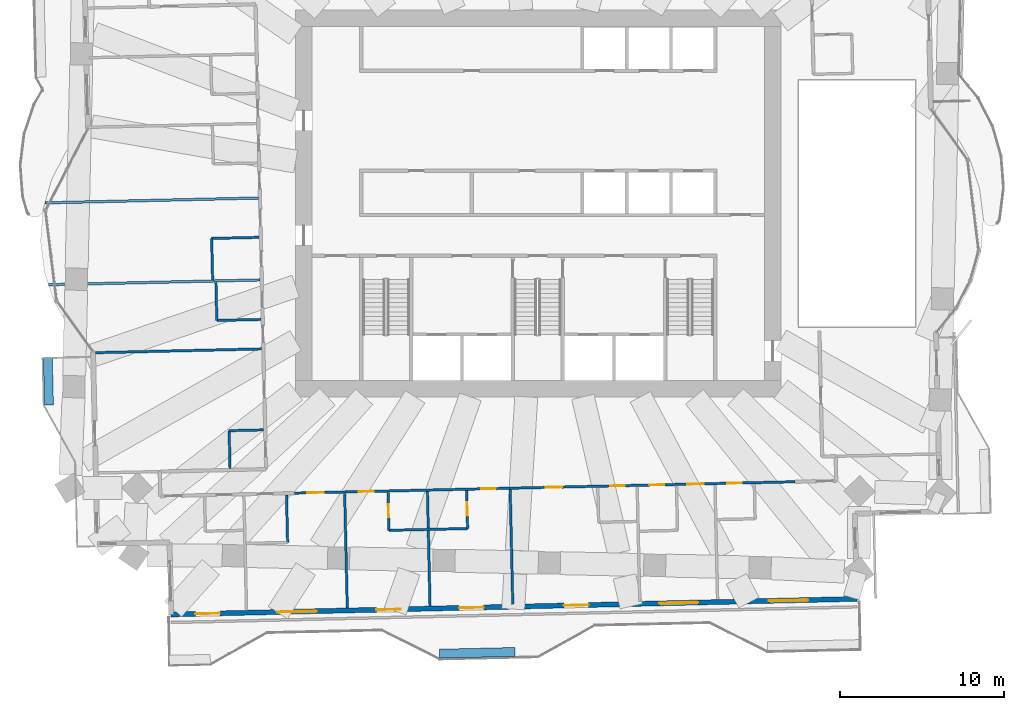
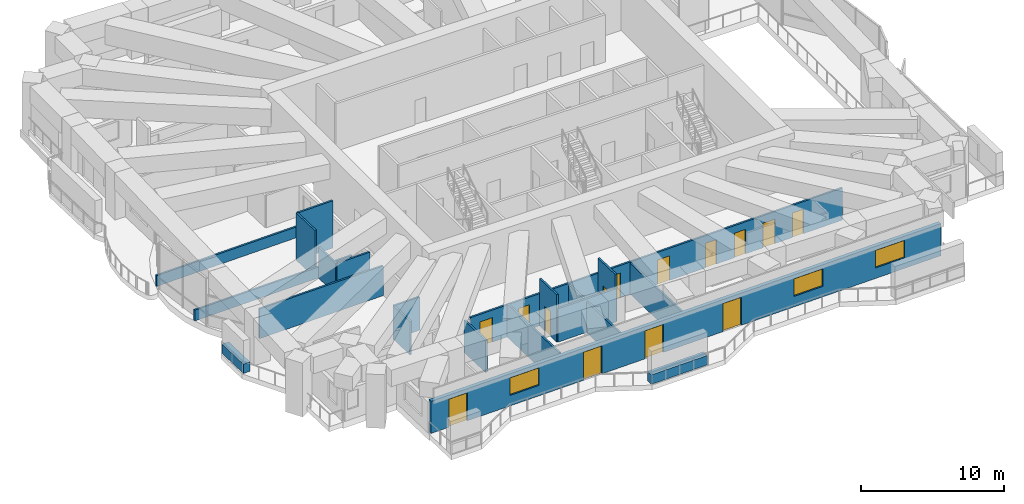
# One storey, part 10 of 21: 20 walls, 14 doors, 3 windows, 17 openings.
"""IFC4 building model written with IfcOpenShell, lengths in metres."""

from ifc_helpers import new_model, si_unit, direction, frame, frame_2d, origin, place, context, subcontext, project, spatial, rectangle, extrude, material, layer, layer_set, type_object, element, fill, save


model = new_model("IFC4")

# Units and contexts
model_context = context("Model", 3, precision=1e-05, world=origin(), true_north=direction((0.0, 1.0)))
body_context = subcontext(model_context, "Body", "Model", "MODEL_VIEW")
ifc_project = project(units=[si_unit("LENGTHUNIT", "METRE"), si_unit("AREAUNIT", "SQUARE_METRE"), si_unit("VOLUMEUNIT", "CUBIC_METRE"), si_unit("PLANEANGLEUNIT", "RADIAN"), si_unit("MASSUNIT", "GRAM", prefix="KILO")], contexts=[model_context])

# Site, building, storey
site_placement = place(None, origin())
site = spatial("IfcSite", under=ifc_project, at=site_placement, CompositionType="ELEMENT")
building_placement = place(site_placement, origin())
building = spatial("IfcBuilding", under=site, at=building_placement, Name="Mangrove Gate Tower", CompositionType="ELEMENT")
storey_placement = place(building_placement, frame((0.0, 0.0, 125.5)))
storey = spatial("IfcBuildingStorey", under=building, at=storey_placement, Name="L31", CompositionType="ELEMENT", Elevation=125.5)

# Wall, openings, doors, windows
ifc_material_1 = material(Name="Limestone", Category="masonry")
ifc_layer_1 = layer(ifc_material_1, 0.0400390625, Name="Limestone cladding")
ifc_material_2 = material(Name="Ventilated air gap")
ifc_layer_2 = layer(ifc_material_2, 0.0400390625, Name="Ventilated cavity")
ifc_material_3 = material(Name="Mineral wool insulation")
ifc_layer_3 = layer(ifc_material_3, 0.06005859375, Name="Insulation")
ifc_material_4 = material(Name="Breather membrane")
ifc_layer_4 = layer(ifc_material_4, 0.001953125, Name="Breather membrane")
ifc_material_5 = material(Name="Concrete C20/25 blockwork", Category="masonry")
ifc_layer_5 = layer(ifc_material_5, 0.14990234375, Name="Blockwork backing wall")
ifc_material_6 = material(Name="Gypsum plaster")
ifc_layer_6 = layer(ifc_material_6, 0.008056640625, Name="Internal plaster")
ifc_layer_set_1 = layer_set([ifc_layer_1, ifc_layer_2, ifc_layer_3, ifc_layer_4, ifc_layer_5, ifc_layer_6], Name="External wall 300 limestone cladding")
wall_type_1 = type_object("IfcWallType", Name="External wall 300 limestone cladding", PredefinedType="SOLIDWALL", material=ifc_layer_set_1)
wall_1_placement = place(storey_placement, frame((-22.39599609375, -25.077880859375, 0.0), z_axis=(0.0, 0.0, 1.0), x_axis=(0.99974279854, 0.022678993965, 0.0)))
wall_1 = element("IfcWall", 1, at=wall_1_placement, inside=storey, type_object=wall_type_1, Name="WALL-L31-S13", PredefinedType="SOLIDWALL", context=body_context, shape_type="SweptSolid", body=[
    extrude(rectangle(XDim=41.84375, YDim=0.300048828125, at=frame_2d((20.921875, 0.0))), origin(), (0.0, 0.0, 1.0), 2.75),
])
opening_1_placement = place(wall_1_placement, frame((1.47509765625, 0.0, 0.0)))
opening_1 = element("IfcOpeningElement", 2, at=opening_1_placement, cuts=wall_1, Name="Opening BD1", PredefinedType="OPENING", context=body_context, shape_type="SweptSolid", body=[
    extrude(rectangle(XDim=1.5, YDim=2.39990234375, at=frame_2d((0.75, 1.199951171875))), frame((0.0, 0.159912109375, 0.0), z_axis=(0.0, -1.0, 0.0), x_axis=(1.0, 0.0, 0.0)), (0.0, 0.0, 1.0), 0.320068359375),
])
opening_2_placement = place(wall_1_placement, frame((6.47509765625, 0.0, 0.89990234375)))
opening_2 = element("IfcOpeningElement", 3, at=opening_2_placement, cuts=wall_1, Name="Opening W2", PredefinedType="OPENING", context=body_context, shape_type="SweptSolid", body=[
    extrude(rectangle(XDim=2.39990234375, YDim=1.5, at=frame_2d((1.199951171875, 0.75))), frame((0.0, 0.159912109375, 0.0), z_axis=(0.0, -1.0, 0.0), x_axis=(1.0, 0.0, 0.0)), (0.0, 0.0, 1.0), 0.320068359375),
])
opening_3_placement = place(wall_1_placement, frame((12.52490234375, 0.0, 0.0)))
opening_3 = element("IfcOpeningElement", 4, at=opening_3_placement, cuts=wall_1, Name="Opening BD1", PredefinedType="OPENING", context=body_context, shape_type="SweptSolid", body=[
    extrude(rectangle(XDim=1.5, YDim=2.39990234375, at=frame_2d((0.75, 1.199951171875))), frame((0.0, 0.159912109375, 0.0), z_axis=(0.0, -1.0, 0.0), x_axis=(1.0, 0.0, 0.0)), (0.0, 0.0, 1.0), 0.320068359375),
])
opening_4_placement = place(wall_1_placement, frame((17.574951171875, 0.0, 0.0)))
opening_4 = element("IfcOpeningElement", 5, at=opening_4_placement, cuts=wall_1, Name="Opening BD1", PredefinedType="OPENING", context=body_context, shape_type="SweptSolid", body=[
    extrude(rectangle(XDim=1.5, YDim=2.39990234375, at=frame_2d((0.75, 1.199951171875))), frame((0.0, 0.159912109375, 0.0), z_axis=(0.0, -1.0, 0.0), x_axis=(1.0, 0.0, 0.0)), (0.0, 0.0, 1.0), 0.320068359375),
])
opening_5_placement = place(wall_1_placement, frame((23.97509765625, 0.0, 0.0)))
opening_5 = element("IfcOpeningElement", 6, at=opening_5_placement, cuts=wall_1, Name="Opening BD1", PredefinedType="OPENING", context=body_context, shape_type="SweptSolid", body=[
    extrude(rectangle(XDim=1.5, YDim=2.39990234375, at=frame_2d((0.75, 1.199951171875))), frame((0.0, 0.159912109375, 0.0), z_axis=(0.0, -1.0, 0.0), x_axis=(1.0, 0.0, 0.0)), (0.0, 0.0, 1.0), 0.320068359375),
])
opening_6_placement = place(wall_1_placement, frame((29.77490234375, 0.0, 0.89990234375)))
opening_6 = element("IfcOpeningElement", 7, at=opening_6_placement, cuts=wall_1, Name="Opening W2", PredefinedType="OPENING", context=body_context, shape_type="SweptSolid", body=[
    extrude(rectangle(XDim=2.39990234375, YDim=1.5, at=frame_2d((1.199951171875, 0.75))), frame((0.0, 0.159912109375, 0.0), z_axis=(0.0, -1.0, 0.0), x_axis=(1.0, 0.0, 0.0)), (0.0, 0.0, 1.0), 0.320068359375),
])
opening_7_placement = place(wall_1_placement, frame((36.471923828125, 0.0, 0.89990234375)))
opening_7 = element("IfcOpeningElement", 8, at=opening_7_placement, cuts=wall_1, Name="Opening W2", PredefinedType="OPENING", context=body_context, shape_type="SweptSolid", body=[
    extrude(rectangle(XDim=2.39990234375, YDim=1.5, at=frame_2d((1.199951171875, 0.75))), frame((0.0, 0.159912109375, 0.0), z_axis=(0.0, -1.0, 0.0), x_axis=(1.0, 0.0, 0.0)), (0.0, 0.0, 1.0), 0.320068359375),
])
ifc_material_7 = material(Name="Aluminium frame with laminated clear glass", Category="aluminium")
door_type_1 = type_object("IfcDoorType", Name="Balcony sliding door 1500x2400", OperationType="SLIDING_TO_LEFT", PredefinedType="DOOR", material=ifc_material_7)
door_1_placement = place(opening_1_placement, origin())
door_1 = element("IfcDoor", 9, at=door_1_placement, inside=storey, type_object=door_type_1, Name="DOOR-L31-S13-1", OperationType="SLIDING_TO_LEFT", OverallHeight=2.39990234375, OverallWidth=1.5, PredefinedType="DOOR", context=body_context, shape_type="SweptSolid", body=[
    extrude(rectangle(XDim=1.5, YDim=2.39990234375, at=frame_2d((0.75, 1.199951171875))), frame((0.0, 0.02490234375, 0.0), z_axis=(0.0, -1.0, 0.0), x_axis=(1.0, 0.0, 0.0)), (0.0, 0.0, 1.0), 0.050048828125),
])
fill(opening_1, door_1)
door_2_placement = place(opening_3_placement, origin())
door_2 = element("IfcDoor", 10, at=door_2_placement, inside=storey, type_object=door_type_1, Name="DOOR-L31-S13-3", OperationType="SLIDING_TO_LEFT", OverallHeight=2.39990234375, OverallWidth=1.5, PredefinedType="DOOR", context=body_context, shape_type="SweptSolid", body=[
    extrude(rectangle(XDim=1.5, YDim=2.39990234375, at=frame_2d((0.75, 1.199951171875))), frame((0.0, 0.02490234375, 0.0), z_axis=(0.0, -1.0, 0.0), x_axis=(1.0, 0.0, 0.0)), (0.0, 0.0, 1.0), 0.050048828125),
])
fill(opening_3, door_2)
door_3_placement = place(opening_4_placement, origin())
door_3 = element("IfcDoor", 11, at=door_3_placement, inside=storey, type_object=door_type_1, Name="DOOR-L31-S13-4", OperationType="SLIDING_TO_LEFT", OverallHeight=2.39990234375, OverallWidth=1.5, PredefinedType="DOOR", context=body_context, shape_type="SweptSolid", body=[
    extrude(rectangle(XDim=1.5, YDim=2.39990234375, at=frame_2d((0.75, 1.199951171875))), frame((0.0, 0.02490234375, 0.0), z_axis=(0.0, -1.0, 0.0), x_axis=(1.0, 0.0, 0.0)), (0.0, 0.0, 1.0), 0.050048828125),
])
fill(opening_4, door_3)
door_4_placement = place(opening_5_placement, origin())
door_4 = element("IfcDoor", 12, at=door_4_placement, inside=storey, type_object=door_type_1, Name="DOOR-L31-S13-5", OperationType="SLIDING_TO_LEFT", OverallHeight=2.39990234375, OverallWidth=1.5, PredefinedType="DOOR", context=body_context, shape_type="SweptSolid", body=[
    extrude(rectangle(XDim=1.5, YDim=2.39990234375, at=frame_2d((0.75, 1.199951171875))), frame((0.0, 0.02490234375, 0.0), z_axis=(0.0, -1.0, 0.0), x_axis=(1.0, 0.0, 0.0)), (0.0, 0.0, 1.0), 0.050048828125),
])
fill(opening_5, door_4)
ifc_material_8 = material(Name="Aluminium frame with double-glazed low-e glass", Category="aluminium")
window_type = type_object("IfcWindowType", Name="Corner room window 2400x1500", PartitioningType="DOUBLE_PANEL_VERTICAL", PredefinedType="WINDOW", material=ifc_material_8)
window_1_placement = place(opening_2_placement, origin())
window_1 = element("IfcWindow", 13, at=window_1_placement, inside=storey, type_object=window_type, Name="WIN-L31-S13-2", OverallHeight=1.5, OverallWidth=2.39990234375, PartitioningType="DOUBLE_PANEL_VERTICAL", PredefinedType="WINDOW", context=body_context, shape_type="SweptSolid", body=[
    extrude(rectangle(XDim=2.39990234375, YDim=1.5, at=frame_2d((1.199951171875, 0.75))), frame((0.0, 0.030029296875, 0.0), z_axis=(0.0, -1.0, 0.0), x_axis=(1.0, 0.0, 0.0)), (0.0, 0.0, 1.0), 0.06005859375),
])
fill(opening_2, window_1)
window_2_placement = place(opening_6_placement, origin())
window_2 = element("IfcWindow", 14, at=window_2_placement, inside=storey, type_object=window_type, Name="WIN-L31-S13-6", OverallHeight=1.5, OverallWidth=2.39990234375, PartitioningType="DOUBLE_PANEL_VERTICAL", PredefinedType="WINDOW", context=body_context, shape_type="SweptSolid", body=[
    extrude(rectangle(XDim=2.39990234375, YDim=1.5, at=frame_2d((1.199951171875, 0.75))), frame((0.0, 0.030029296875, 0.0), z_axis=(0.0, -1.0, 0.0), x_axis=(1.0, 0.0, 0.0)), (0.0, 0.0, 1.0), 0.06005859375),
])
fill(opening_6, window_2)
window_3_placement = place(opening_7_placement, origin())
window_3 = element("IfcWindow", 15, at=window_3_placement, inside=storey, type_object=window_type, Name="WIN-L31-S13-7", OverallHeight=1.5, OverallWidth=2.39990234375, PartitioningType="DOUBLE_PANEL_VERTICAL", PredefinedType="WINDOW", context=body_context, shape_type="SweptSolid", body=[
    extrude(rectangle(XDim=2.39990234375, YDim=1.5, at=frame_2d((1.199951171875, 0.75))), frame((0.0, 0.030029296875, 0.0), z_axis=(0.0, -1.0, 0.0), x_axis=(1.0, 0.0, 0.0)), (0.0, 0.0, 1.0), 0.06005859375),
])
fill(opening_7, window_3)

# Walls
ifc_material_9 = material(Name="Gypsum board on steel stud, EI 60", Category="steel")
ifc_layer_7 = layer(ifc_material_9, 0.14990234375)
ifc_layer_set_2 = layer_set([ifc_layer_7], Name="Party wall 150 EI 60")
wall_type_2 = type_object("IfcWallType", Name="Party wall 150 EI 60", PredefinedType="PARTITIONING", material=ifc_layer_set_2)
wall_2_placement = place(storey_placement, frame((-11.64990234375, -24.68408203125, 0.0), z_axis=(0.0, 0.0, 1.0), x_axis=(-0.022737248567, 0.999741475346, 0.0)))
element("IfcWall", 16, at=wall_2_placement, inside=storey, type_object=wall_type_2, Name="WALL-L31-002", PredefinedType="PARTITIONING", context=body_context, shape_type="SweptSolid", body=[
    extrude(rectangle(XDim=7.000732421875, YDim=0.14990234375, at=frame_2d((3.50048828125, 0.0))), origin(), (0.0, 0.0, 1.0), 2.85009765625),
])
wall_3_placement = place(storey_placement, frame((-6.60107421875, -24.570068359375, 0.0), z_axis=(0.0, 0.0, 1.0), x_axis=(-0.022699227919, 0.999742339331, 0.0)))
element("IfcWall", 17, at=wall_3_placement, inside=storey, type_object=wall_type_2, Name="WALL-L31-003", PredefinedType="PARTITIONING", context=body_context, shape_type="SweptSolid", body=[
    extrude(rectangle(XDim=7.001708984375, YDim=0.14990234375, at=frame_2d((3.5009765625, 0.0))), origin(), (0.0, 0.0, 1.0), 2.64990234375),
])
wall_4_placement = place(storey_placement, frame((-1.552978515625, -24.455078125, 0.0), z_axis=(0.0, 0.0, 1.0), x_axis=(-0.022562972274, 0.999745423737, 0.0)))
element("IfcWall", 18, at=wall_4_placement, inside=storey, type_object=wall_type_2, Name="WALL-L31-004", PredefinedType="PARTITIONING", context=body_context, shape_type="SweptSolid", body=[
    extrude(rectangle(XDim=7.000732421875, YDim=0.14990234375, at=frame_2d((3.50048828125, 0.0))), origin(), (0.0, 0.0, 1.0), 2.64990234375),
])
wall_5_placement = place(storey_placement, frame((-15.2919921875, -20.68994140625, 0.0), z_axis=(0.0, 0.0, 1.0), x_axis=(-0.022388729138, 0.999749340989, 0.0)))
element("IfcWall", 19, at=wall_5_placement, inside=storey, type_object=wall_type_2, Name="WALL-L31-007", PredefinedType="PARTITIONING", context=body_context, shape_type="SweptSolid", body=[
    extrude(rectangle(XDim=2.900634765625, YDim=0.14990234375, at=frame_2d((1.4501953125, 0.0))), origin(), (0.0, 0.0, 1.0), 2.75),
])

# Wall, opening, door
wall_6_placement = place(storey_placement, frame((-9.10693359375, -19.948974609375, 0.0), z_axis=(0.0, 0.0, 1.0), x_axis=(-0.02279059109, 0.999740260747, 0.0)))
wall_6 = element("IfcWall", 20, at=wall_6_placement, inside=storey, type_object=wall_type_2, Name="WALL-L31-011", PredefinedType="PARTITIONING", context=body_context, shape_type="SweptSolid", body=[
    extrude(rectangle(XDim=2.324462890625, YDim=0.14990234375, at=frame_2d((1.162109375, 0.0))), origin(), (0.0, 0.0, 1.0), 4.050048828125),
])
opening_8_placement = place(wall_6_placement, frame((0.800048828125, 0.0, 0.0)))
opening_8 = element("IfcOpeningElement", 21, at=opening_8_placement, cuts=wall_6, Name="Opening ED", PredefinedType="OPENING", context=body_context, shape_type="SweptSolid", body=[
    extrude(rectangle(XDim=0.800048828125, YDim=2.10009765625, at=frame_2d((0.39990234375, 1.050048828125))), frame((0.0, 0.0849609375, 0.0), z_axis=(0.0, -1.0, 0.0), x_axis=(1.0, 0.0, 0.0)), (0.0, 0.0, 1.0), 0.169921875),
])
ifc_material_10 = material(Name="Timber door leaf", Category="wood")
door_type_2 = type_object("IfcDoorType", Name="En-suite door 800", OperationType="SINGLE_SWING_LEFT", PredefinedType="DOOR", material=ifc_material_10)
door_5_placement = place(opening_8_placement, origin())
door_5 = element("IfcDoor", 22, at=door_5_placement, inside=storey, type_object=door_type_2, Name="DOOR-L31-ENS-c101", OperationType="SINGLE_SWING_LEFT", OverallHeight=2.10009765625, OverallWidth=0.800048828125, PredefinedType="DOOR", context=body_context, shape_type="SweptSolid", body=[
    extrude(rectangle(XDim=0.800048828125, YDim=2.10009765625, at=frame_2d((0.39990234375, 1.050048828125))), frame((0.0, 0.02490234375, 0.0), z_axis=(0.0, -1.0, 0.0), x_axis=(1.0, 0.0, 0.0)), (0.0, 0.0, 1.0), 0.050048828125),
])
fill(opening_8, door_5)

wall_7_placement = place(storey_placement, frame((-4.30810546875, -19.840087890625, 0.0), z_axis=(0.0, 0.0, 1.0), x_axis=(-0.02279059109, 0.999740260747, 0.0)))
wall_7 = element("IfcWall", 23, at=wall_7_placement, inside=storey, type_object=wall_type_2, Name="WALL-L31-012", PredefinedType="PARTITIONING", context=body_context, shape_type="SweptSolid", body=[
    extrude(rectangle(XDim=2.324462890625, YDim=0.14990234375, at=frame_2d((1.162109375, 0.0))), origin(), (0.0, 0.0, 1.0), 4.050048828125),
])
opening_9_placement = place(wall_7_placement, frame((0.800048828125, 0.0, 0.0)))
opening_9 = element("IfcOpeningElement", 24, at=opening_9_placement, cuts=wall_7, Name="Opening ED", PredefinedType="OPENING", context=body_context, shape_type="SweptSolid", body=[
    extrude(rectangle(XDim=0.800048828125, YDim=2.10009765625, at=frame_2d((0.39990234375, 1.050048828125))), frame((0.0, 0.0849609375, 0.0), z_axis=(0.0, -1.0, 0.0), x_axis=(1.0, 0.0, 0.0)), (0.0, 0.0, 1.0), 0.169921875),
])
door_6_placement = place(opening_9_placement, origin())
door_6 = element("IfcDoor", 25, at=door_6_placement, inside=storey, type_object=door_type_2, Name="DOOR-L31-ENS-c202", OperationType="SINGLE_SWING_RIGHT", OverallHeight=2.10009765625, OverallWidth=0.800048828125, PredefinedType="DOOR", context=body_context, shape_type="SweptSolid", body=[
    extrude(rectangle(XDim=0.800048828125, YDim=2.10009765625, at=frame_2d((0.39990234375, 1.050048828125))), frame((0.0, 0.02490234375, 0.0), z_axis=(0.0, -1.0, 0.0), x_axis=(1.0, 0.0, 0.0)), (0.0, 0.0, 1.0), 0.050048828125),
])
fill(opening_9, door_6)

# Wall
wall_8_placement = place(storey_placement, frame((-9.10888671875, -19.945068359375, 0.0), z_axis=(0.0, 0.0, 1.0), x_axis=(0.999741520352, 0.022735269617, 0.0)))
element("IfcWall", 26, at=wall_8_placement, inside=storey, type_object=wall_type_2, Name="WALL-L31-013", PredefinedType="PARTITIONING", context=body_context, shape_type="SweptSolid", body=[
    extrude(rectangle(XDim=4.800048828125, YDim=0.14990234375, at=frame_2d((2.39990234375, 0.0))), origin(), (0.0, 0.0, 1.0), 2.85009765625),
])

# Wall, openings, doors
wall_9_placement = place(storey_placement, frame((-14.87109375, -17.675048828125, 0.0), z_axis=(0.0, 0.0, 1.0), x_axis=(0.999742359486, 0.02269834024, 0.0)))
wall_9 = element("IfcWall", 27, at=wall_9_placement, inside=storey, type_object=wall_type_2, Name="WALL-L31-023", PredefinedType="PARTITIONING", context=body_context, shape_type="SweptSolid", body=[
    extrude(rectangle(XDim=30.535888671875, YDim=0.14990234375, at=frame_2d((15.26806640625, 0.0))), origin(), (0.0, 0.0, 1.0), 2.75),
])
opening_10_placement = place(wall_9_placement, frame((0.783935546875, 0.0, 0.0)))
opening_10 = element("IfcOpeningElement", 28, at=opening_10_placement, cuts=wall_9, Name="Opening AD", PredefinedType="OPENING", context=body_context, shape_type="SweptSolid", body=[
    extrude(rectangle(XDim=1.0, YDim=2.10009765625, at=frame_2d((0.5, 1.050048828125))), frame((0.0, 0.0849609375, 0.0), z_axis=(0.0, -1.0, 0.0), x_axis=(1.0, 0.0, 0.0)), (0.0, 0.0, 1.0), 0.169921875),
])
opening_11_placement = place(wall_9_placement, frame((3.93408203125, 0.0, 0.0)))
opening_11 = element("IfcOpeningElement", 29, at=opening_11_placement, cuts=wall_9, Name="Opening BD", PredefinedType="OPENING", context=body_context, shape_type="SweptSolid", body=[
    extrude(rectangle(XDim=0.89990234375, YDim=2.10009765625, at=frame_2d((0.449951171875, 1.050048828125))), frame((0.0, 0.0849609375, 0.0), z_axis=(0.0, -1.0, 0.0), x_axis=(1.0, 0.0, 0.0)), (0.0, 0.0, 1.0), 0.169921875),
])
opening_12_placement = place(wall_9_placement, frame((11.384033203125, 0.0, 0.0)))
opening_12 = element("IfcOpeningElement", 30, at=opening_12_placement, cuts=wall_9, Name="Opening BD", PredefinedType="OPENING", context=body_context, shape_type="SweptSolid", body=[
    extrude(rectangle(XDim=0.89990234375, YDim=2.10009765625, at=frame_2d((0.449951171875, 1.050048828125))), frame((0.0, 0.0849609375, 0.0), z_axis=(0.0, -1.0, 0.0), x_axis=(1.0, 0.0, 0.0)), (0.0, 0.0, 1.0), 0.169921875),
])
opening_13_placement = place(wall_9_placement, frame((15.333984375, 0.0, 0.0)))
opening_13 = element("IfcOpeningElement", 31, at=opening_13_placement, cuts=wall_9, Name="Opening AD", PredefinedType="OPENING", context=body_context, shape_type="SweptSolid", body=[
    extrude(rectangle(XDim=1.0, YDim=2.10009765625, at=frame_2d((0.5, 1.050048828125))), frame((0.0, 0.0849609375, 0.0), z_axis=(0.0, -1.0, 0.0), x_axis=(1.0, 0.0, 0.0)), (0.0, 0.0, 1.0), 0.169921875),
])
opening_14_placement = place(wall_9_placement, frame((19.259033203125, 0.0, 0.0)))
opening_14 = element("IfcOpeningElement", 32, at=opening_14_placement, cuts=wall_9, Name="Opening SD", PredefinedType="OPENING", context=body_context, shape_type="SweptSolid", body=[
    extrude(rectangle(XDim=0.89990234375, YDim=2.10009765625, at=frame_2d((0.449951171875, 1.050048828125))), frame((0.0, 0.0849609375, 0.0), z_axis=(0.0, -1.0, 0.0), x_axis=(1.0, 0.0, 0.0)), (0.0, 0.0, 1.0), 0.169921875),
])
opening_15_placement = place(wall_9_placement, frame((23.98388671875, 0.0, 0.0)))
opening_15 = element("IfcOpeningElement", 33, at=opening_15_placement, cuts=wall_9, Name="Opening AD", PredefinedType="OPENING", context=body_context, shape_type="SweptSolid", body=[
    extrude(rectangle(XDim=1.0, YDim=2.10009765625, at=frame_2d((0.5, 1.050048828125))), frame((0.0, 0.0849609375, 0.0), z_axis=(0.0, -1.0, 0.0), x_axis=(1.0, 0.0, 0.0)), (0.0, 0.0, 1.0), 0.169921875),
])
opening_16_placement = place(wall_9_placement, frame((21.658935546875, 0.0, 0.0)))
opening_16 = element("IfcOpeningElement", 34, at=opening_16_placement, cuts=wall_9, Name="Opening SD", PredefinedType="OPENING", context=body_context, shape_type="SweptSolid", body=[
    extrude(rectangle(XDim=0.89990234375, YDim=2.10009765625, at=frame_2d((0.449951171875, 1.050048828125))), frame((0.0, 0.0849609375, 0.0), z_axis=(0.0, -1.0, 0.0), x_axis=(1.0, 0.0, 0.0)), (0.0, 0.0, 1.0), 0.169921875),
])
opening_17_placement = place(wall_9_placement, frame((26.408935546875, 0.0, 0.0)))
opening_17 = element("IfcOpeningElement", 35, at=opening_17_placement, cuts=wall_9, Name="Opening SD", PredefinedType="OPENING", context=body_context, shape_type="SweptSolid", body=[
    extrude(rectangle(XDim=0.89990234375, YDim=2.10009765625, at=frame_2d((0.449951171875, 1.050048828125))), frame((0.0, 0.0849609375, 0.0), z_axis=(0.0, -1.0, 0.0), x_axis=(1.0, 0.0, 0.0)), (0.0, 0.0, 1.0), 0.169921875),
])
ifc_material_11 = material(Name="Timber door leaf", Category="wood")
door_type_3 = type_object("IfcDoorType", Name="Amenity door 1000", OperationType="SINGLE_SWING_LEFT", PredefinedType="DOOR", material=ifc_material_11)
door_7_placement = place(opening_10_placement, origin())
door_7 = element("IfcDoor", 36, at=door_7_placement, inside=storey, type_object=door_type_3, Name="DOOR-L31-KIT-c1a", OperationType="SINGLE_SWING_RIGHT", OverallHeight=2.10009765625, OverallWidth=1.0, PredefinedType="DOOR", context=body_context, shape_type="SweptSolid", body=[
    extrude(rectangle(XDim=1.0, YDim=2.10009765625, at=frame_2d((0.5, 1.050048828125))), frame((0.0, 0.02490234375, 0.0), z_axis=(0.0, -1.0, 0.0), x_axis=(1.0, 0.0, 0.0)), (0.0, 0.0, 1.0), 0.050048828125),
])
fill(opening_10, door_7)
door_8_placement = place(opening_13_placement, origin())
door_8 = element("IfcDoor", 37, at=door_8_placement, inside=storey, type_object=door_type_3, Name="DOOR-L31-GAM-c3a", OperationType="SINGLE_SWING_LEFT", OverallHeight=2.10009765625, OverallWidth=1.0, PredefinedType="DOOR", context=body_context, shape_type="SweptSolid", body=[
    extrude(rectangle(XDim=1.0, YDim=2.10009765625, at=frame_2d((0.5, 1.050048828125))), frame((0.0, 0.02490234375, 0.0), z_axis=(0.0, -1.0, 0.0), x_axis=(1.0, 0.0, 0.0)), (0.0, 0.0, 1.0), 0.050048828125),
])
fill(opening_13, door_8)
door_9_placement = place(opening_15_placement, origin())
door_9 = element("IfcDoor", 38, at=door_9_placement, inside=storey, type_object=door_type_3, Name="DOOR-L31-STU-c3a", OperationType="SINGLE_SWING_RIGHT", OverallHeight=2.10009765625, OverallWidth=1.0, PredefinedType="DOOR", context=body_context, shape_type="SweptSolid", body=[
    extrude(rectangle(XDim=1.0, YDim=2.10009765625, at=frame_2d((0.5, 1.050048828125))), frame((0.0, 0.02490234375, 0.0), z_axis=(0.0, -1.0, 0.0), x_axis=(1.0, 0.0, 0.0)), (0.0, 0.0, 1.0), 0.050048828125),
])
fill(opening_15, door_9)
ifc_material_12 = material(Name="Timber door leaf", Category="wood")
door_type_4 = type_object("IfcDoorType", Name="Bedroom door 900", OperationType="SINGLE_SWING_LEFT", PredefinedType="DOOR", material=ifc_material_12)
door_10_placement = place(opening_11_placement, origin())
door_10 = element("IfcDoor", 39, at=door_10_placement, inside=storey, type_object=door_type_4, Name="DOOR-L31-BED-c101", OperationType="SINGLE_SWING_LEFT", OverallHeight=2.10009765625, OverallWidth=0.89990234375, PredefinedType="DOOR", context=body_context, shape_type="SweptSolid", body=[
    extrude(rectangle(XDim=0.89990234375, YDim=2.10009765625, at=frame_2d((0.449951171875, 1.050048828125))), frame((0.0, 0.02490234375, 0.0), z_axis=(0.0, -1.0, 0.0), x_axis=(1.0, 0.0, 0.0)), (0.0, 0.0, 1.0), 0.050048828125),
])
fill(opening_11, door_10)
door_11_placement = place(opening_12_placement, origin())
door_11 = element("IfcDoor", 40, at=door_11_placement, inside=storey, type_object=door_type_4, Name="DOOR-L31-BED-c202", OperationType="SINGLE_SWING_RIGHT", OverallHeight=2.10009765625, OverallWidth=0.89990234375, PredefinedType="DOOR", context=body_context, shape_type="SweptSolid", body=[
    extrude(rectangle(XDim=0.89990234375, YDim=2.10009765625, at=frame_2d((0.449951171875, 1.050048828125))), frame((0.0, 0.02490234375, 0.0), z_axis=(0.0, -1.0, 0.0), x_axis=(1.0, 0.0, 0.0)), (0.0, 0.0, 1.0), 0.050048828125),
])
fill(opening_12, door_11)
ifc_material_13 = material(Name="Timber door leaf", Category="wood")
door_type_5 = type_object("IfcDoorType", Name="Service room door 900", OperationType="SINGLE_SWING_LEFT", PredefinedType="DOOR", material=ifc_material_13)
door_12_placement = place(opening_14_placement, origin())
door_12 = element("IfcDoor", 41, at=door_12_placement, inside=storey, type_object=door_type_5, Name="DOOR-L31-LIN-c3a", OperationType="SINGLE_SWING_LEFT", OverallHeight=2.10009765625, OverallWidth=0.89990234375, PredefinedType="DOOR", context=body_context, shape_type="SweptSolid", body=[
    extrude(rectangle(XDim=0.89990234375, YDim=2.10009765625, at=frame_2d((0.449951171875, 1.050048828125))), frame((0.0, 0.02490234375, 0.0), z_axis=(0.0, -1.0, 0.0), x_axis=(1.0, 0.0, 0.0)), (0.0, 0.0, 1.0), 0.050048828125),
])
fill(opening_14, door_12)
door_13_placement = place(opening_16_placement, origin())
door_13 = element("IfcDoor", 42, at=door_13_placement, inside=storey, type_object=door_type_5, Name="DOOR-L31-WC-c3a", OperationType="SINGLE_SWING_RIGHT", OverallHeight=2.10009765625, OverallWidth=0.89990234375, PredefinedType="DOOR", context=body_context, shape_type="SweptSolid", body=[
    extrude(rectangle(XDim=0.89990234375, YDim=2.10009765625, at=frame_2d((0.449951171875, 1.050048828125))), frame((0.0, 0.02490234375, 0.0), z_axis=(0.0, -1.0, 0.0), x_axis=(1.0, 0.0, 0.0)), (0.0, 0.0, 1.0), 0.050048828125),
])
fill(opening_16, door_13)
door_14_placement = place(opening_17_placement, origin())
door_14 = element("IfcDoor", 43, at=door_14_placement, inside=storey, type_object=door_type_5, Name="DOOR-L31-LIN-c3b", OperationType="SINGLE_SWING_LEFT", OverallHeight=2.10009765625, OverallWidth=0.89990234375, PredefinedType="DOOR", context=body_context, shape_type="SweptSolid", body=[
    extrude(rectangle(XDim=0.89990234375, YDim=2.10009765625, at=frame_2d((0.449951171875, 1.050048828125))), frame((0.0, 0.02490234375, 0.0), z_axis=(0.0, -1.0, 0.0), x_axis=(1.0, 0.0, 0.0)), (0.0, 0.0, 1.0), 0.050048828125),
])
fill(opening_17, door_14)

# Walls
wall_10_placement = place(storey_placement, frame((-18.804931640625, -16.16796875, 0.0), z_axis=(0.0, 0.0, 1.0), x_axis=(-0.022612884682, 0.999744296031, 0.0)))
element("IfcWall", 44, at=wall_10_placement, inside=storey, type_object=wall_type_2, Name="WALL-L31-025", PredefinedType="PARTITIONING", context=body_context, shape_type="SweptSolid", body=[
    extrude(rectangle(XDim=2.299560546875, YDim=0.14990234375, at=frame_2d((1.14990234375, 0.0))), origin(), (0.0, 0.0, 1.0), 2.85009765625),
])
wall_11_placement = place(storey_placement, frame((-18.85791015625, -13.864990234375, 0.0), z_axis=(0.0, 0.0, 1.0), x_axis=(0.999737555419, 0.022908956429, 0.0)))
element("IfcWall", 45, at=wall_11_placement, inside=storey, type_object=wall_type_2, Name="WALL-L31-032", PredefinedType="PARTITIONING", context=body_context, shape_type="SweptSolid", body=[
    extrude(rectangle(XDim=2.099365234375, YDim=0.14990234375, at=frame_2d((1.0498046875, 0.0))), origin(), (0.0, 0.0, 1.0), 2.85009765625),
])
wall_12_placement = place(storey_placement, frame((-27.010009765625, -9.10791015625, 0.0), z_axis=(0.0, 0.0, 1.0), x_axis=(0.999742841246, 0.022677111331, 0.0)))
element("IfcWall", 46, at=wall_12_placement, inside=storey, type_object=wall_type_2, Name="WALL-L31-033", PredefinedType="PARTITIONING", context=body_context, shape_type="SweptSolid", body=[
    extrude(rectangle(XDim=10.1416015625, YDim=0.14990234375, at=frame_2d((5.07080078125, 0.0))), origin(), (0.0, 0.0, 1.0), 2.550048828125),
])
wall_13_placement = place(storey_placement, frame((-19.611083984375, -7.139892578125, 0.0), z_axis=(0.0, 0.0, 1.0), x_axis=(0.999746436932, 0.022518033722, 0.0)))
element("IfcWall", 47, at=wall_13_placement, inside=storey, type_object=wall_type_2, Name="WALL-L31-034", PredefinedType="PARTITIONING", context=body_context, shape_type="SweptSolid", body=[
    extrude(rectangle(XDim=2.69970703125, YDim=0.14990234375, at=frame_2d((1.349853515625, 0.0))), origin(), (0.0, 0.0, 1.0), 2.64990234375),
])
wall_14_placement = place(storey_placement, frame((-19.610107421875, -7.135009765625, 0.0), z_axis=(0.0, 0.0, 1.0), x_axis=(-0.02279059109, 0.999740260747, 0.0)))
element("IfcWall", 48, at=wall_14_placement, inside=storey, type_object=wall_type_2, Name="WALL-L31-035", PredefinedType="PARTITIONING", context=body_context, shape_type="SweptSolid", body=[
    extrude(rectangle(XDim=2.324462890625, YDim=0.14990234375, at=frame_2d((1.162109375, 0.0))), origin(), (0.0, 0.0, 1.0), 2.64990234375),
])
wall_15_placement = place(storey_placement, frame((-19.865966796875, -4.6650390625, 0.0), z_axis=(0.0, 0.0, 1.0), x_axis=(-0.023015762656, 0.999735102249, 0.0)))
element("IfcWall", 49, at=wall_15_placement, inside=storey, type_object=wall_type_2, Name="WALL-L31-036", PredefinedType="PARTITIONING", context=body_context, shape_type="SweptSolid", body=[
    extrude(rectangle(XDim=2.524658203125, YDim=0.14990234375, at=frame_2d((1.26220703125, 0.0))), origin(), (0.0, 0.0, 1.0), 4.050048828125),
])
wall_16_placement = place(storey_placement, frame((-29.875, -4.9619140625, 0.0), z_axis=(0.0, 0.0, 1.0), x_axis=(0.999742567124, 0.022689193013, 0.0)))
element("IfcWall", 50, at=wall_16_placement, inside=storey, type_object=wall_type_2, Name="WALL-L31-037", PredefinedType="PARTITIONING", context=body_context, shape_type="SweptSolid", body=[
    extrude(rectangle(XDim=12.912353515625, YDim=0.14990234375, at=frame_2d((6.4560546875, 0.0))), origin(), (0.0, 0.0, 1.0), 0.929931640625),
])
wall_17_placement = place(storey_placement, frame((-19.925048828125, -2.135986328125, 0.0), z_axis=(0.0, 0.0, 1.0), x_axis=(0.999741792094, 0.022723317103, 0.0)))
element("IfcWall", 51, at=wall_17_placement, inside=storey, type_object=wall_type_2, Name="WALL-L31-038", PredefinedType="PARTITIONING", context=body_context, shape_type="SweptSolid", body=[
    extrude(rectangle(XDim=2.90087890625, YDim=0.14990234375, at=frame_2d((1.450439453125, 0.0))), origin(), (0.0, 0.0, 1.0), 4.050048828125),
])
wall_18_placement = place(storey_placement, frame((-30.096923828125, 0.033935546875, 0.0), z_axis=(0.0, 0.0, 1.0), x_axis=(0.999743005544, 0.022669866904, 0.0)))
element("IfcWall", 52, at=wall_18_placement, inside=storey, type_object=wall_type_2, Name="WALL-L31-039", PredefinedType="PARTITIONING", context=body_context, shape_type="SweptSolid", body=[
    extrude(rectangle(XDim=13.020263671875, YDim=0.14990234375, at=frame_2d((6.51025390625, 0.0))), origin(), (0.0, 0.0, 1.0), 0.929931640625),
])
ifc_material_14 = material(Name="Concrete C32/40", Category="concrete")
ifc_layer_8 = layer(ifc_material_14, 0.199951171875, Name="Planter trough wall")
ifc_material_15 = material(Name="Bituminous waterproofing membrane")
ifc_layer_9 = layer(ifc_material_15, 0.0048828125, Name="Waterproofing")
ifc_material_16 = material(Name="Drainage board and gravel")
ifc_layer_10 = layer(ifc_material_16, 0.044921875, Name="Drainage layer")
ifc_material_17 = material(Name="Planting soil")
ifc_layer_11 = layer(ifc_material_17, 0.300048828125, Name="Growing medium")
ifc_layer_set_3 = layer_set([ifc_layer_8, ifc_layer_9, ifc_layer_10, ifc_layer_11], Name="Planter wall 550 C32/40")
wall_type_3 = type_object("IfcWallType", Name="Planter wall 550 C32/40", PredefinedType="USERDEFINED", material=ifc_layer_set_3)
wall_19_placement = place(storey_placement, frame((-29.85302734375, -12.2939453125, 0.0), z_axis=(0.0, 0.0, 1.0), x_axis=(-0.022590224177, 0.999744808324, 0.0)))
element("IfcWall", 53, at=wall_19_placement, inside=storey, type_object=wall_type_3, Name="PLANTER L31 W1.1", ObjectType="PLANTER", PredefinedType="USERDEFINED", context=body_context, shape_type="SweptSolid", body=[
    extrude(rectangle(XDim=2.874755859375, YDim=0.550048828125, at=frame_2d((1.4375, 0.0))), origin(), (0.0, 0.0, 1.0), 0.800048828125),
])
wall_20_placement = place(storey_placement, frame((-6.014892578125, -27.471923828125, 0.0), z_axis=(0.0, 0.0, 1.0), x_axis=(0.999739556364, 0.022821468877, 0.0)))
element("IfcWall", 54, at=wall_20_placement, inside=storey, type_object=wall_type_3, Name="PLANTER L31 S0.2", ObjectType="PLANTER", PredefinedType="USERDEFINED", context=body_context, shape_type="SweptSolid", body=[
    extrude(rectangle(XDim=4.60009765625, YDim=0.550048828125, at=frame_2d((2.300048828125, 0.0))), origin(), (0.0, 0.0, 1.0), 0.800048828125),
])

save(model, "model.ifc")
